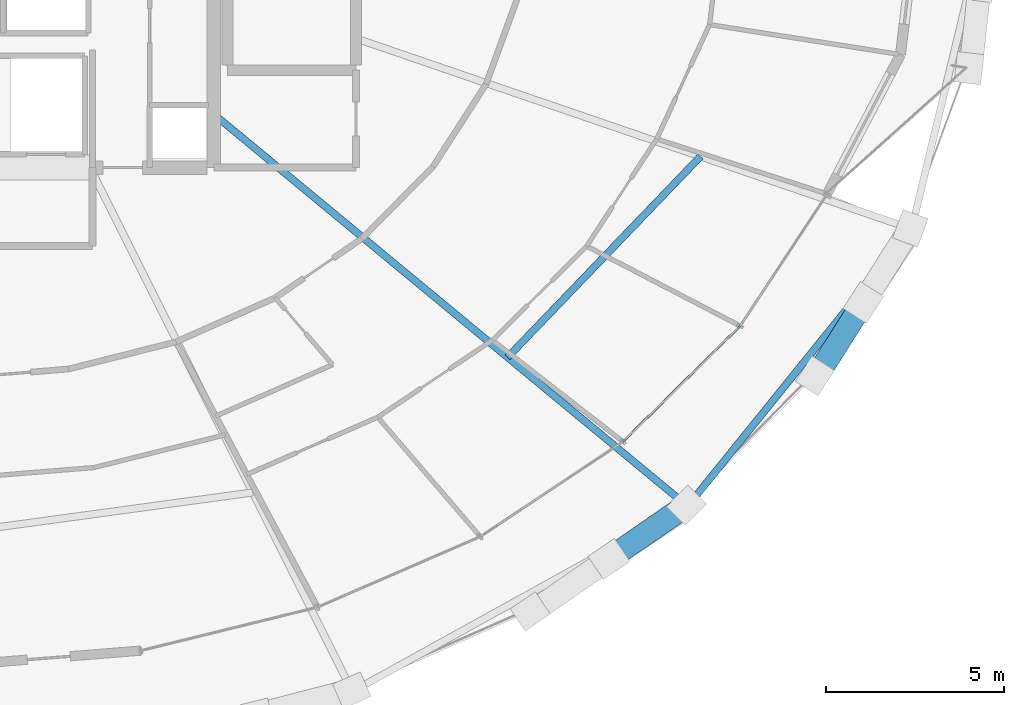
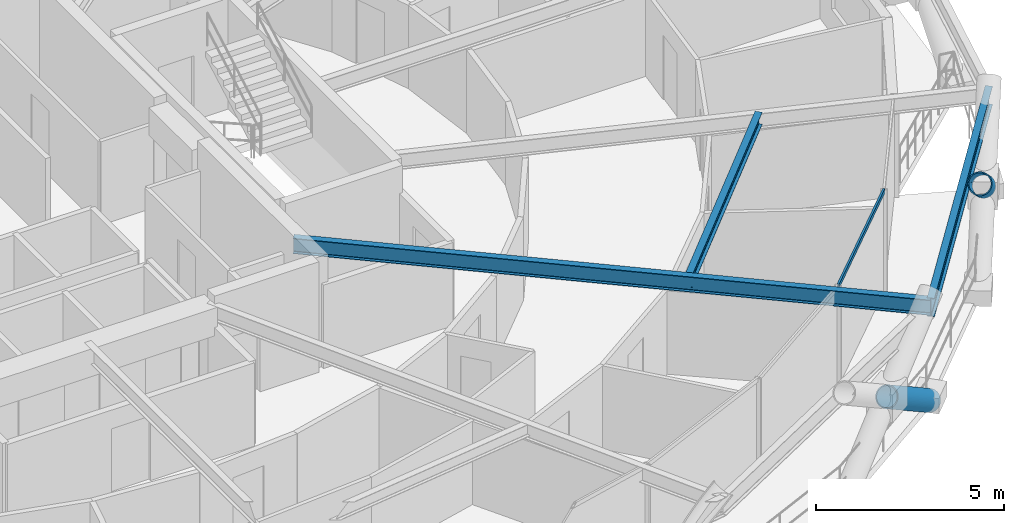
# One storey, part 9 of 19: 3 beams, 3 members, 1 element without a shape of its own.
"""IFC4 building model written with IfcOpenShell, lengths in metres."""

from ifc_helpers import new_model, si_unit, direction, frame, origin, origin_2d, place, context, subcontext, project, spatial, hollow_rectangle, hollow_circle, i_section, extrude, material, layer, layer_set, material_profile, profile_set, type_object, element, aggregate, save


model = new_model("IFC4")

# Units and contexts
model_context = context("Model", 3, precision=1e-05, world=origin(), true_north=direction((0.0, 1.0)))
body_context = subcontext(model_context, "Body", "Model", "MODEL_VIEW")
ifc_project = project(units=[si_unit("LENGTHUNIT", "METRE"), si_unit("AREAUNIT", "SQUARE_METRE"), si_unit("VOLUMEUNIT", "CUBIC_METRE"), si_unit("PLANEANGLEUNIT", "RADIAN"), si_unit("MASSUNIT", "GRAM", prefix="KILO")], contexts=[model_context])

# Site, building, storey
site_placement = place(None, origin())
site = spatial("IfcSite", under=ifc_project, at=site_placement, CompositionType="ELEMENT")
building_placement = place(site_placement, origin())
building = spatial("IfcBuilding", under=site, at=building_placement, Name="Veldorina Hangang Commons", CompositionType="ELEMENT")
storey_placement = place(building_placement, frame((0.0, 0.0, 70.0)))
storey = spatial("IfcBuildingStorey", under=building, at=storey_placement, Name="L17", CompositionType="ELEMENT", Elevation=70.0)

# Beams
ifc_material_1 = material(Name="Steel SM420-TMC", Category="steel")
ifc_material_profile_1 = material_profile(ifc_material_1, i_section(OverallWidth=0.199951171875, OverallDepth=0.5, WebThickness=0.010009765625, FlangeThickness=0.01611328125, FilletRadius=0.01611328125, at=origin_2d()), Name="H-500x200x10x16")
ifc_profile_set_1 = profile_set([ifc_material_profile_1], Name="Steel SM420-TMC")
beam_type_1 = type_object("IfcBeamType", Name="BM-FG500", PredefinedType="BEAM", material=ifc_profile_set_1)
beam_1_placement = place(storey_placement, frame((39.199951171875, 18.043212890625, 3.090087890625), z_axis=(0.770495357235, -0.637445609036, 0.0), x_axis=(0.637445609036, 0.770495357235, 0.0)))
element("IfcBeam", 1, at=beam_1_placement, inside=storey, type_object=beam_type_1, Name="L17 radial floor girder 15", PredefinedType="BEAM", context=body_context, shape_type="SweptSolid", body=[
    extrude(i_section(OverallWidth=0.199951171875, OverallDepth=0.5, WebThickness=0.010009765625, FlangeThickness=0.01611328125, FilletRadius=0.01611328125, at=origin_2d()), origin(), (0.0, 0.0, 1.0), 17.228515625),
])
ifc_material_2 = material(Name="Steel SM355-TMC", Category="steel")
ifc_material_profile_2 = material_profile(ifc_material_2, i_section(OverallWidth=0.199951171875, OverallDepth=0.39990234375, WebThickness=0.008056640625, FlangeThickness=0.012939453125, FilletRadius=0.012939453125, at=origin_2d()), Name="H-400x200x8x13")
ifc_profile_set_2 = profile_set([ifc_material_profile_2], Name="Steel SM355-TMC")
beam_type_2 = type_object("IfcBeamType", Name="BM-JST400", PredefinedType="JOIST", material=ifc_profile_set_2)
beam_2_placement = place(storey_placement, frame((47.43017578125, 11.234375, 3.139892578125), z_axis=(0.692707701543, 0.721218441405, 0.0), x_axis=(-0.721218441405, 0.692707701543, 0.0)))
element("IfcBeam", 2, at=beam_2_placement, inside=storey, type_object=beam_type_2, Name="L17 secondary floor joist 15", PredefinedType="JOIST", context=body_context, shape_type="SweptSolid", body=[
    extrude(i_section(OverallWidth=0.199951171875, OverallDepth=0.39990234375, WebThickness=0.008056640625, FlangeThickness=0.012939453125, FilletRadius=0.012939453125, at=origin_2d()), origin(), (0.0, 0.0, 1.0), 7.801025390625),
])
ifc_material_profile_3 = material_profile(ifc_material_1, i_section(OverallWidth=0.199951171875, OverallDepth=0.60009765625, WebThickness=0.010986328125, FlangeThickness=0.01708984375, FilletRadius=0.01806640625, at=origin_2d()), Name="H-600x200x11x17")
ifc_profile_set_3 = profile_set([ifc_material_profile_3], Name="Steel SM420-TMC")
beam_type_3 = type_object("IfcBeamType", Name="BM-RB600", PredefinedType="BEAM", material=ifc_profile_set_3)
beam_3_placement = place(storey_placement, frame((52.474365234375, 7.06103515625, 3.0400390625), z_axis=(0.628318334852, 0.77795634202, 0.0), x_axis=(-0.77795634202, 0.628318334852, 0.0)))
element("IfcBeam", 3, at=beam_3_placement, inside=storey, type_object=beam_type_3, Name="L17 perimeter hoop ring beam 28", PredefinedType="BEAM", context=body_context, shape_type="SweptSolid", body=[
    extrude(i_section(OverallWidth=0.199951171875, OverallDepth=0.60009765625, WebThickness=0.010986328125, FlangeThickness=0.01708984375, FilletRadius=0.01806640625, at=origin_2d()), origin(), (0.0, 0.0, 1.0), 9.989990234375),
])

# Curtain wall, member
ifc_material_3 = material(Name="Glass Low-E Triple IGU", Category="glass")
ifc_layer = layer(ifc_material_3, 0.179931640625)
ifc_layer_set = layer_set([ifc_layer], Name="Glass Low-E Triple IGU")
curtain_wall_type = type_object("IfcCurtainWallType", Name="CW-SYS-Z1", PredefinedType="NOTDEFINED", material=ifc_layer_set)
curtain_wall_placement = place(storey_placement, origin())
curtain_wall = element("IfcCurtainWall", 4, at=curtain_wall_placement, inside=storey, type_object=curtain_wall_type, Name="L17 unitised curtain wall CW-L17-R2", PredefinedType="NOTDEFINED")
ifc_material_4 = material(Name="Aluminium Anodized AA6063-T6", Category="aluminium")
ifc_material_profile_4 = material_profile(ifc_material_4, hollow_rectangle(XDim=0.06005859375, YDim=0.139892578125, WallThickness=0.00341796875, at=origin_2d()), Name="ALU-RHS-140x60x3.5")
ifc_profile_set_4 = profile_set([ifc_material_profile_4], Name="Aluminium Anodized AA6063-T6")
member_type_1 = type_object("IfcMemberType", Name="CW-TRN-140", PredefinedType="USERDEFINED", material=ifc_profile_set_4)
member_1_placement = place(storey_placement, frame((50.66455078125, 8.870849609375, 3.260009765625), z_axis=(0.711485024799, 0.702701259061, 0.0), x_axis=(-0.702701259061, 0.711485024799, 0.0)))
member_1 = element("IfcMember", 5, at=member_1_placement, type_object=member_type_1, Name="CW-L17-R2 facet 4 transom 1", ObjectType="TRANSOM", PredefinedType="USERDEFINED", context=body_context, shape_type="SweptSolid", body=[
    extrude(hollow_rectangle(XDim=0.06005859375, YDim=0.139892578125, WallThickness=0.00341796875, at=origin_2d()), origin(), (0.0, 0.0, 1.0), 4.614013671875),
])
aggregate(curtain_wall, [member_1])

# Members
ifc_material_5 = material(Name="Steel SM460-TMC", Category="steel")
ifc_material_profile_5 = material_profile(ifc_material_5, hollow_circle(Radius=0.324951171875, WallThickness=0.031982421875, at=origin_2d()), Name="CHS-650x32")
ifc_profile_set_5 = profile_set([ifc_material_profile_5], Name="Steel SM460-TMC")
member_type_2 = type_object("IfcMemberType", Name="DG-CHS650", PredefinedType="BRACE", material=ifc_profile_set_5)
member_2_placement = place(storey_placement, frame((52.446533203125, 7.089111328125, 0.0), z_axis=(-0.680201793803, -0.470433482027, 0.562154657274), x_axis=(0.568821289896, -0.822461148116, 0.0)))
element("IfcMember", 6, at=member_2_placement, inside=storey, type_object=member_type_2, Name="L17 split perimeter diagrid lower brace 28", PredefinedType="BRACE", context=body_context, shape_type="SweptSolid", body=[
    extrude(hollow_circle(Radius=0.324951171875, WallThickness=0.031982421875, at=origin_2d()), origin(), (0.0, 0.0, 1.0), 3.199462890625),
])
member_3_placement = place(storey_placement, frame((57.39892578125, 12.76953125, 1.79833984375), z_axis=(-0.431641435749, -0.682132630257, 0.590237872119), x_axis=(0.845029500139, -0.534719687214, 0.0)))
element("IfcMember", 7, at=member_3_placement, inside=storey, type_object=member_type_2, Name="L17 split perimeter diagrid upper brace 30", PredefinedType="BRACE", context=body_context, shape_type="SweptSolid", body=[
    extrude(hollow_circle(Radius=0.324951171875, WallThickness=0.031982421875, at=origin_2d()), origin(), (0.0, 0.0, 1.0), 3.052490234375),
])

save(model, "model.ifc")
